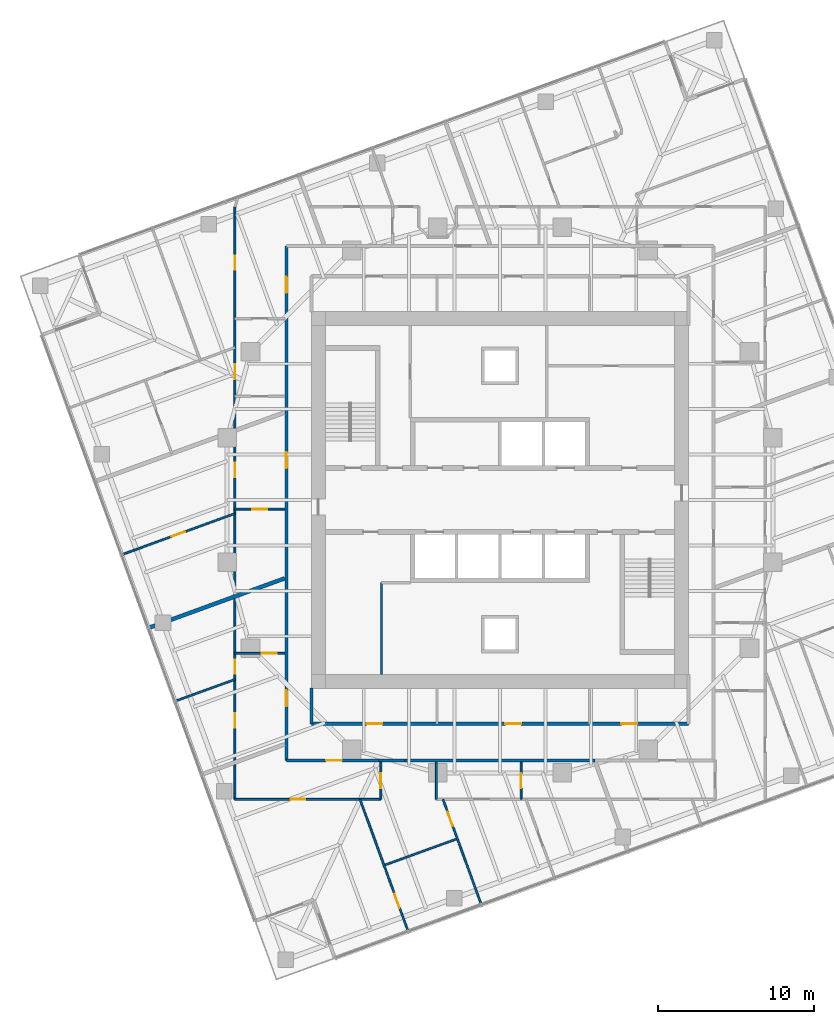
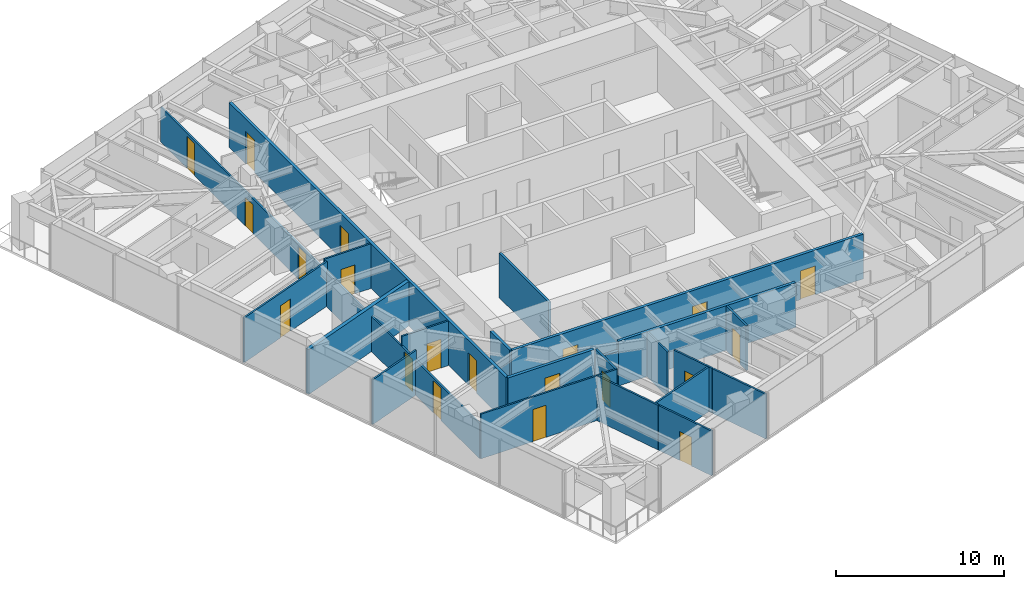
# One storey, part 7 of 13: 22 walls, 20 doors, 20 openings.
"""IFC4 building model written with IfcOpenShell, lengths in metres."""

from ifc_helpers import new_model, si_unit, direction, frame, frame_2d, origin, place, context, subcontext, project, spatial, rectangle, extrude, material, layer, layer_set, type_object, element, fill, save


model = new_model("IFC4")

# Units and contexts
model_context = context("Model", 3, precision=1e-05, world=origin(), true_north=direction((0.0, 1.0)))
body_context = subcontext(model_context, "Body", "Model", "MODEL_VIEW")
ifc_project = project(units=[si_unit("LENGTHUNIT", "METRE"), si_unit("AREAUNIT", "SQUARE_METRE"), si_unit("VOLUMEUNIT", "CUBIC_METRE"), si_unit("PLANEANGLEUNIT", "RADIAN"), si_unit("MASSUNIT", "GRAM", prefix="KILO")], contexts=[model_context])

# Site, building, storey
site_placement = place(None, origin())
site = spatial("IfcSite", under=ifc_project, at=site_placement, CompositionType="ELEMENT")
building_placement = place(site_placement, origin())
building = spatial("IfcBuilding", under=site, at=building_placement, Name="Torsade Residences", CompositionType="ELEMENT")
storey_placement = place(building_placement, frame((0.0, 0.0, 143.800048828125)))
storey = spatial("IfcBuildingStorey", under=building, at=storey_placement, Name="L39", CompositionType="ELEMENT", Elevation=143.800048828125)

# Wall, opening, door
ifc_material_1 = material(Name="Plasterboard on steel stud", Category="steel")
ifc_layer_1 = layer(ifc_material_1, 0.199951171875)
ifc_layer_set_1 = layer_set([ifc_layer_1], Name="Plasterboard on steel stud")
wall_type_1 = type_object("IfcWallType", Name="CORRIDOR WALL 200", PredefinedType="PARTITIONING", material=ifc_layer_set_1)
wall_1_placement = place(storey_placement, frame((26.300048828125, 13.300048828125, 0.0), z_axis=(0.0, 0.0, 1.0), x_axis=(1.0, 0.0, 0.0)))
wall_1 = element("IfcWall", 1, at=wall_1_placement, inside=storey, type_object=wall_type_1, Name="Corridor wall L39", PredefinedType="PARTITIONING", context=body_context, shape_type="SweptSolid", body=[
    extrude(rectangle(XDim=5.9248046875, YDim=0.199951171875, at=frame_2d((2.96240234375, 0.0))), origin(), (0.0, 0.0, 1.0), 3.25),
])
opening_1_placement = place(wall_1_placement, frame((2.54541015625, 0.0, 0.0)))
opening_1 = element("IfcOpeningElement", 2, at=opening_1_placement, cuts=wall_1, Name="Opening D01", PredefinedType="OPENING", context=body_context, shape_type="SweptSolid", body=[
    extrude(rectangle(XDim=1.02001953125, YDim=2.340087890625, at=frame_2d((0.510009765625, 1.169921875))), frame((0.0, 0.10986328125, 0.0), z_axis=(0.0, -1.0, 0.0), x_axis=(1.0, 0.0, 0.0)), (0.0, 0.0, 1.0), 0.219970703125),
])
ifc_material_2 = material(Name="Solid-core timber fire door", Category="wood")
door_type_1 = type_object("IfcDoorType", Name="APARTMENT ENTRY DOOR 1020x2340", OperationType="NOTDEFINED", PredefinedType="DOOR", material=ifc_material_2)
door_1_placement = place(opening_1_placement, origin())
door_1 = element("IfcDoor", 3, at=door_1_placement, inside=storey, type_object=door_type_1, Name="Door Residential corridor to Kitchen and dining", OperationType="SINGLE_SWING_RIGHT", OverallHeight=2.340087890625, OverallWidth=1.02001953125, PredefinedType="DOOR", context=body_context, shape_type="SweptSolid", body=[
    extrude(rectangle(XDim=1.02001953125, YDim=2.340087890625, at=frame_2d((0.510009765625, 1.169921875))), frame((0.0, 0.02490234375, 0.0), z_axis=(0.0, -1.0, 0.0), x_axis=(1.0, 0.0, 0.0)), (0.0, 0.0, 1.0), 0.050048828125),
])
fill(opening_1, door_1)

# Walls
wall_2_placement = place(storey_placement, frame((32.224853515625, 13.300048828125, 0.0), z_axis=(0.0, 0.0, 1.0), x_axis=(1.0, 0.0, 0.0)))
element("IfcWall", 4, at=wall_2_placement, inside=storey, type_object=wall_type_1, Name="Corridor wall L39", PredefinedType="PARTITIONING", context=body_context, shape_type="SweptSolid", body=[
    extrude(rectangle(XDim=1.68359375, YDim=0.199951171875, at=frame_2d((0.841796875, 0.0))), origin(), (0.0, 0.0, 1.0), 2.550048828125),
])
wall_3_placement = place(storey_placement, frame((33.908447265625, 13.300048828125, 0.0), z_axis=(0.0, 0.0, 1.0), x_axis=(1.0, 0.0, 0.0)))
element("IfcWall", 5, at=wall_3_placement, inside=storey, type_object=wall_type_1, Name="Corridor wall L39", PredefinedType="PARTITIONING", context=body_context, shape_type="SweptSolid", body=[
    extrude(rectangle(XDim=12.18310546875, YDim=0.199951171875, at=frame_2d((6.091552734375, 0.0))), origin(), (0.0, 0.0, 1.0), 3.25),
])

# Wall, openings, doors
wall_4_placement = place(storey_placement, frame((26.300048828125, 46.300048828125, 0.0), z_axis=(0.0, 0.0, 1.0), x_axis=(0.0, -1.0, 0.0)))
wall_4 = element("IfcWall", 6, at=wall_4_placement, inside=storey, type_object=wall_type_1, Name="Corridor wall L39", PredefinedType="PARTITIONING", context=body_context, shape_type="SweptSolid", body=[
    extrude(rectangle(XDim=33.0, YDim=0.199951171875, at=frame_2d((16.5, 0.0))), origin(), (0.0, 0.0, 1.0), 3.25),
])
opening_2_placement = place(wall_4_placement, frame((13.2294921875, 0.0, 0.0)))
opening_2 = element("IfcOpeningElement", 7, at=opening_2_placement, cuts=wall_4, Name="Opening D01", PredefinedType="OPENING", context=body_context, shape_type="SweptSolid", body=[
    extrude(rectangle(XDim=1.02001953125, YDim=2.340087890625, at=frame_2d((0.510009765625, 1.169921875))), frame((0.0, 0.10986328125, 0.0), z_axis=(0.0, -1.0, 0.0), x_axis=(1.0, 0.0, 0.0)), (0.0, 0.0, 1.0), 0.219970703125),
])
opening_3_placement = place(wall_4_placement, frame((28.51025390625, 0.0, 0.0)))
opening_3 = element("IfcOpeningElement", 8, at=opening_3_placement, cuts=wall_4, Name="Opening D01", PredefinedType="OPENING", context=body_context, shape_type="SweptSolid", body=[
    extrude(rectangle(XDim=1.02001953125, YDim=2.340087890625, at=frame_2d((0.510009765625, 1.169921875))), frame((0.0, 0.10986328125, 0.0), z_axis=(0.0, -1.0, 0.0), x_axis=(1.0, 0.0, 0.0)), (0.0, 0.0, 1.0), 0.219970703125),
])
opening_4_placement = place(wall_4_placement, frame((1.998291015625, 0.0, 0.0)))
opening_4 = element("IfcOpeningElement", 9, at=opening_4_placement, cuts=wall_4, Name="Opening D01", PredefinedType="OPENING", context=body_context, shape_type="SweptSolid", body=[
    extrude(rectangle(XDim=1.02001953125, YDim=2.340087890625, at=frame_2d((0.510009765625, 1.169921875))), frame((0.0, 0.10986328125, 0.0), z_axis=(0.0, -1.0, 0.0), x_axis=(1.0, 0.0, 0.0)), (0.0, 0.0, 1.0), 0.219970703125),
])
door_2_placement = place(opening_2_placement, origin())
door_2 = element("IfcDoor", 10, at=door_2_placement, inside=storey, type_object=door_type_1, Name="Door Residential corridor to Kitchen and dining", OperationType="SINGLE_SWING_LEFT", OverallHeight=2.340087890625, OverallWidth=1.02001953125, PredefinedType="DOOR", context=body_context, shape_type="SweptSolid", body=[
    extrude(rectangle(XDim=1.02001953125, YDim=2.340087890625, at=frame_2d((0.510009765625, 1.169921875))), frame((0.0, 0.02490234375, 0.0), z_axis=(0.0, -1.0, 0.0), x_axis=(1.0, 0.0, 0.0)), (0.0, 0.0, 1.0), 0.050048828125),
])
fill(opening_2, door_2)
door_3_placement = place(opening_3_placement, origin())
door_3 = element("IfcDoor", 11, at=door_3_placement, inside=storey, type_object=door_type_1, Name="Door Residential corridor to Kitchen and dining", OperationType="SINGLE_SWING_RIGHT", OverallHeight=2.340087890625, OverallWidth=1.02001953125, PredefinedType="DOOR", context=body_context, shape_type="SweptSolid", body=[
    extrude(rectangle(XDim=1.02001953125, YDim=2.340087890625, at=frame_2d((0.510009765625, 1.169921875))), frame((0.0, 0.02490234375, 0.0), z_axis=(0.0, -1.0, 0.0), x_axis=(1.0, 0.0, 0.0)), (0.0, 0.0, 1.0), 0.050048828125),
])
fill(opening_3, door_3)
door_4_placement = place(opening_4_placement, origin())
door_4 = element("IfcDoor", 12, at=door_4_placement, inside=storey, type_object=door_type_1, Name="Door Residential corridor to Kitchen and dining", OperationType="SINGLE_SWING_LEFT", OverallHeight=2.340087890625, OverallWidth=1.02001953125, PredefinedType="DOOR", context=body_context, shape_type="SweptSolid", body=[
    extrude(rectangle(XDim=1.02001953125, YDim=2.340087890625, at=frame_2d((0.510009765625, 1.169921875))), frame((0.0, 0.02490234375, 0.0), z_axis=(0.0, -1.0, 0.0), x_axis=(1.0, 0.0, 0.0)), (0.0, 0.0, 1.0), 0.050048828125),
])
fill(opening_4, door_4)

# Wall
wall_5_placement = place(storey_placement, frame((27.89990234375, 17.949951171875, 0.0), z_axis=(0.0, 0.0, 1.0), x_axis=(0.0, -1.0, 0.0)))
element("IfcWall", 13, at=wall_5_placement, inside=storey, type_object=wall_type_1, Name="Corridor wall L39", PredefinedType="PARTITIONING", context=body_context, shape_type="SweptSolid", body=[
    extrude(rectangle(XDim=2.300048828125, YDim=0.199951171875, at=frame_2d((1.14990234375, 0.0))), origin(), (0.0, 0.0, 1.0), 3.25),
])

# Wall, openings, doors
wall_6_placement = place(storey_placement, frame((27.89990234375, 15.64990234375, 0.0), z_axis=(0.0, 0.0, 1.0), x_axis=(1.0, 0.0, 0.0)))
wall_6 = element("IfcWall", 14, at=wall_6_placement, inside=storey, type_object=wall_type_1, Name="Corridor wall L39", PredefinedType="PARTITIONING", context=body_context, shape_type="SweptSolid", body=[
    extrude(rectangle(XDim=24.2001953125, YDim=0.199951171875, at=frame_2d((12.10009765625, 0.0))), origin(), (0.0, 0.0, 1.0), 3.25),
])
opening_5_placement = place(wall_6_placement, frame((12.43701171875, 0.0, 0.0)))
opening_5 = element("IfcOpeningElement", 15, at=opening_5_placement, cuts=wall_6, Name="Opening D03", PredefinedType="OPENING", context=body_context, shape_type="SweptSolid", body=[
    extrude(rectangle(XDim=1.02001953125, YDim=2.10009765625, at=frame_2d((0.510009765625, 1.050048828125))), frame((0.0, 0.10986328125, 0.0), z_axis=(0.0, -1.0, 0.0), x_axis=(1.0, 0.0, 0.0)), (0.0, 0.0, 1.0), 0.219970703125),
])
opening_6_placement = place(wall_6_placement, frame((3.544189453125, 0.0, 0.0)))
opening_6 = element("IfcOpeningElement", 16, at=opening_6_placement, cuts=wall_6, Name="Opening D03", PredefinedType="OPENING", context=body_context, shape_type="SweptSolid", body=[
    extrude(rectangle(XDim=1.02001953125, YDim=2.10009765625, at=frame_2d((0.510009765625, 1.050048828125))), frame((0.0, 0.10986328125, 0.0), z_axis=(0.0, -1.0, 0.0), x_axis=(1.0, 0.0, 0.0)), (0.0, 0.0, 1.0), 0.219970703125),
])
opening_7_placement = place(wall_6_placement, frame((19.8828125, 0.0, 0.0)))
opening_7 = element("IfcOpeningElement", 17, at=opening_7_placement, cuts=wall_6, Name="Opening D03", PredefinedType="OPENING", context=body_context, shape_type="SweptSolid", body=[
    extrude(rectangle(XDim=1.02001953125, YDim=2.10009765625, at=frame_2d((0.510009765625, 1.050048828125))), frame((0.0, 0.10986328125, 0.0), z_axis=(0.0, -1.0, 0.0), x_axis=(1.0, 0.0, 0.0)), (0.0, 0.0, 1.0), 0.219970703125),
])
ifc_material_3 = material(Name="Steel-framed fire door", Category="steel")
door_type_2 = type_object("IfcDoorType", Name="FIRE DOOR 1020", OperationType="NOTDEFINED", PredefinedType="DOOR", material=ifc_material_3)
door_5_placement = place(opening_5_placement, origin())
door_5 = element("IfcDoor", 18, at=door_5_placement, inside=storey, type_object=door_type_2, Name="Door Residential corridor to Bulk store", OperationType="SINGLE_SWING_RIGHT", OverallHeight=2.10009765625, OverallWidth=1.02001953125, PredefinedType="DOOR", context=body_context, shape_type="SweptSolid", body=[
    extrude(rectangle(XDim=1.02001953125, YDim=2.10009765625, at=frame_2d((0.510009765625, 1.050048828125))), frame((0.0, 0.02490234375, 0.0), z_axis=(0.0, -1.0, 0.0), x_axis=(1.0, 0.0, 0.0)), (0.0, 0.0, 1.0), 0.050048828125),
])
fill(opening_5, door_5)
door_6_placement = place(opening_6_placement, origin())
door_6 = element("IfcDoor", 19, at=door_6_placement, inside=storey, type_object=door_type_2, Name="Door Residential corridor to Residents storage", OperationType="SINGLE_SWING_RIGHT", OverallHeight=2.10009765625, OverallWidth=1.02001953125, PredefinedType="DOOR", context=body_context, shape_type="SweptSolid", body=[
    extrude(rectangle(XDim=1.02001953125, YDim=2.10009765625, at=frame_2d((0.510009765625, 1.050048828125))), frame((0.0, 0.02490234375, 0.0), z_axis=(0.0, -1.0, 0.0), x_axis=(1.0, 0.0, 0.0)), (0.0, 0.0, 1.0), 0.050048828125),
])
fill(opening_6, door_6)
door_7_placement = place(opening_7_placement, origin())
door_7 = element("IfcDoor", 20, at=door_7_placement, inside=storey, type_object=door_type_2, Name="Door Residential corridor to Parcel room", OperationType="SINGLE_SWING_LEFT", OverallHeight=2.10009765625, OverallWidth=1.02001953125, PredefinedType="DOOR", context=body_context, shape_type="SweptSolid", body=[
    extrude(rectangle(XDim=1.02001953125, YDim=2.10009765625, at=frame_2d((0.510009765625, 1.050048828125))), frame((0.0, 0.02490234375, 0.0), z_axis=(0.0, -1.0, 0.0), x_axis=(1.0, 0.0, 0.0)), (0.0, 0.0, 1.0), 0.050048828125),
])
fill(opening_7, door_7)

# Wall, opening, door
ifc_material_4 = material(Name="Plasterboard on steel stud", Category="steel")
ifc_layer_2 = layer(ifc_material_4, 0.1201171875)
ifc_layer_set_2 = layer_set([ifc_layer_2], Name="Plasterboard on steel stud")
wall_type_2 = type_object("IfcWallType", Name="PARTITION 120", PredefinedType="PARTITIONING", material=ifc_layer_set_2)
wall_7_placement = place(storey_placement, frame((26.199951171875, 29.4130859375, 0.0), z_axis=(0.0, 0.0, 1.0), x_axis=(-1.0, 0.0, 0.0)))
wall_7 = element("IfcWall", 21, at=wall_7_placement, inside=storey, type_object=wall_type_2, Name="Partition L39", PredefinedType="PARTITIONING", context=body_context, shape_type="SweptSolid", body=[
    extrude(rectangle(XDim=3.199951171875, YDim=0.1201171875, at=frame_2d((1.60009765625, 0.0))), origin(), (0.0, 0.0, 1.0), 3.25),
])
opening_8_placement = place(wall_7_placement, frame((1.1201171875, 0.0, 0.0)))
opening_8 = element("IfcOpeningElement", 22, at=opening_8_placement, cuts=wall_7, Name="Opening D05", PredefinedType="OPENING", context=body_context, shape_type="SweptSolid", body=[
    extrude(rectangle(XDim=0.9599609375, YDim=2.10009765625, at=frame_2d((0.47998046875, 1.050048828125))), frame((0.0, 0.070068359375, 0.0), z_axis=(0.0, -1.0, 0.0), x_axis=(1.0, 0.0, 0.0)), (0.0, 0.0, 1.0), 0.14013671875),
])
ifc_material_5 = material(Name="Hollow-core timber door in a steel cavity frame", Category="steel")
door_type_3 = type_object("IfcDoorType", Name="BATHROOM CAVITY SLIDING DOOR 960", OperationType="SLIDING_TO_LEFT", PredefinedType="DOOR", material=ifc_material_5)
door_8_placement = place(opening_8_placement, origin())
door_8 = element("IfcDoor", 23, at=door_8_placement, inside=storey, type_object=door_type_3, Name="Door Kitchen and dining to Bathroom", OperationType="SLIDING_TO_LEFT", OverallHeight=2.10009765625, OverallWidth=0.9599609375, PredefinedType="DOOR", context=body_context, shape_type="SweptSolid", body=[
    extrude(rectangle(XDim=0.9599609375, YDim=2.10009765625, at=frame_2d((0.47998046875, 1.050048828125))), frame((0.0, 0.02490234375, 0.0), z_axis=(0.0, -1.0, 0.0), x_axis=(1.0, 0.0, 0.0)), (0.0, 0.0, 1.0), 0.050048828125),
])
fill(opening_8, door_8)

# Wall, openings, doors
wall_8_placement = place(storey_placement, frame((23.0, 10.800048828125, 0.0), z_axis=(0.0, 0.0, 1.0), x_axis=(0.0, 1.0, 0.0)))
wall_8 = element("IfcWall", 24, at=wall_8_placement, inside=storey, type_object=wall_type_2, Name="Partition L39", PredefinedType="PARTITIONING", context=body_context, shape_type="SweptSolid", body=[
    extrude(rectangle(XDim=38.0, YDim=0.1201171875, at=frame_2d((19.0, 0.0))), origin(), (0.0, 0.0, 1.0), 2.550048828125),
])
opening_9_placement = place(wall_8_placement, frame((20.673583984375, 0.0, 0.0)))
opening_9 = element("IfcOpeningElement", 25, at=opening_9_placement, cuts=wall_8, Name="Opening D02", PredefinedType="OPENING", context=body_context, shape_type="SweptSolid", body=[
    extrude(rectangle(XDim=0.919921875, YDim=2.340087890625, at=frame_2d((0.4599609375, 1.169921875))), frame((0.0, 0.070068359375, 0.0), z_axis=(0.0, -1.0, 0.0), x_axis=(1.0, 0.0, 0.0)), (0.0, 0.0, 1.0), 0.14013671875),
])
opening_10_placement = place(wall_8_placement, frame((4.59765625, 0.0, 0.0)))
opening_10 = element("IfcOpeningElement", 26, at=opening_10_placement, cuts=wall_8, Name="Opening D02", PredefinedType="OPENING", context=body_context, shape_type="SweptSolid", body=[
    extrude(rectangle(XDim=0.919921875, YDim=2.340087890625, at=frame_2d((0.4599609375, 1.169921875))), frame((0.0, 0.070068359375, 0.0), z_axis=(0.0, -1.0, 0.0), x_axis=(1.0, 0.0, 0.0)), (0.0, 0.0, 1.0), 0.14013671875),
])
opening_11_placement = place(wall_8_placement, frame((8.042724609375, 0.0, 0.0)))
opening_11 = element("IfcOpeningElement", 27, at=opening_11_placement, cuts=wall_8, Name="Opening D02", PredefinedType="OPENING", context=body_context, shape_type="SweptSolid", body=[
    extrude(rectangle(XDim=0.919921875, YDim=2.340087890625, at=frame_2d((0.4599609375, 1.169921875))), frame((0.0, 0.070068359375, 0.0), z_axis=(0.0, -1.0, 0.0), x_axis=(1.0, 0.0, 0.0)), (0.0, 0.0, 1.0), 0.14013671875),
])
opening_12_placement = place(wall_8_placement, frame((33.956787109375, 0.0, 0.0)))
opening_12 = element("IfcOpeningElement", 28, at=opening_12_placement, cuts=wall_8, Name="Opening D02", PredefinedType="OPENING", context=body_context, shape_type="SweptSolid", body=[
    extrude(rectangle(XDim=0.919921875, YDim=2.340087890625, at=frame_2d((0.4599609375, 1.169921875))), frame((0.0, 0.070068359375, 0.0), z_axis=(0.0, -1.0, 0.0), x_axis=(1.0, 0.0, 0.0)), (0.0, 0.0, 1.0), 0.14013671875),
])
opening_13_placement = place(wall_8_placement, frame((26.95654296875, 0.0, 0.0)))
opening_13 = element("IfcOpeningElement", 29, at=opening_13_placement, cuts=wall_8, Name="Opening D05", PredefinedType="OPENING", context=body_context, shape_type="SweptSolid", body=[
    extrude(rectangle(XDim=0.9599609375, YDim=2.10009765625, at=frame_2d((0.47998046875, 1.050048828125))), frame((0.0, 0.070068359375, 0.0), z_axis=(0.0, -1.0, 0.0), x_axis=(1.0, 0.0, 0.0)), (0.0, 0.0, 1.0), 0.14013671875),
])
door_9_placement = place(opening_13_placement, origin())
door_9 = element("IfcDoor", 30, at=door_9_placement, inside=storey, type_object=door_type_3, Name="Door Bathroom to Walk-in robe", OperationType="SLIDING_TO_LEFT", OverallHeight=2.10009765625, OverallWidth=0.9599609375, PredefinedType="DOOR", context=body_context, shape_type="SweptSolid", body=[
    extrude(rectangle(XDim=0.9599609375, YDim=2.10009765625, at=frame_2d((0.47998046875, 1.050048828125))), frame((0.0, 0.02490234375, 0.0), z_axis=(0.0, -1.0, 0.0), x_axis=(1.0, 0.0, 0.0)), (0.0, 0.0, 1.0), 0.050048828125),
])
fill(opening_13, door_9)
ifc_material_6 = material(Name="Hollow-core timber door", Category="wood")
door_type_4 = type_object("IfcDoorType", Name="INTERNAL DOOR 920x2340", OperationType="NOTDEFINED", PredefinedType="DOOR", material=ifc_material_6)
door_10_placement = place(opening_9_placement, origin())
door_10 = element("IfcDoor", 31, at=door_10_placement, inside=storey, type_object=door_type_4, Name="Door Kitchen and dining to Living room", OperationType="SINGLE_SWING_RIGHT", OverallHeight=2.340087890625, OverallWidth=0.919921875, PredefinedType="DOOR", context=body_context, shape_type="SweptSolid", body=[
    extrude(rectangle(XDim=0.919921875, YDim=2.340087890625, at=frame_2d((0.4599609375, 1.169921875))), frame((0.0, 0.02490234375, 0.0), z_axis=(0.0, -1.0, 0.0), x_axis=(1.0, 0.0, 0.0)), (0.0, 0.0, 1.0), 0.050048828125),
])
fill(opening_9, door_10)
door_11_placement = place(opening_10_placement, origin())
door_11 = element("IfcDoor", 32, at=door_11_placement, inside=storey, type_object=door_type_4, Name="Door Kitchen and dining to Bedroom 1", OperationType="SINGLE_SWING_RIGHT", OverallHeight=2.340087890625, OverallWidth=0.919921875, PredefinedType="DOOR", context=body_context, shape_type="SweptSolid", body=[
    extrude(rectangle(XDim=0.919921875, YDim=2.340087890625, at=frame_2d((0.4599609375, 1.169921875))), frame((0.0, 0.02490234375, 0.0), z_axis=(0.0, -1.0, 0.0), x_axis=(1.0, 0.0, 0.0)), (0.0, 0.0, 1.0), 0.050048828125),
])
fill(opening_10, door_11)
door_12_placement = place(opening_11_placement, origin())
door_12 = element("IfcDoor", 33, at=door_12_placement, inside=storey, type_object=door_type_4, Name="Door Kitchen and dining to Living room", OperationType="SINGLE_SWING_LEFT", OverallHeight=2.340087890625, OverallWidth=0.919921875, PredefinedType="DOOR", context=body_context, shape_type="SweptSolid", body=[
    extrude(rectangle(XDim=0.919921875, YDim=2.340087890625, at=frame_2d((0.4599609375, 1.169921875))), frame((0.0, 0.02490234375, 0.0), z_axis=(0.0, -1.0, 0.0), x_axis=(1.0, 0.0, 0.0)), (0.0, 0.0, 1.0), 0.050048828125),
])
fill(opening_11, door_12)
door_13_placement = place(opening_12_placement, origin())
door_13 = element("IfcDoor", 34, at=door_13_placement, inside=storey, type_object=door_type_4, Name="Door Kitchen and dining to Bedroom 1", OperationType="SINGLE_SWING_RIGHT", OverallHeight=2.340087890625, OverallWidth=0.919921875, PredefinedType="DOOR", context=body_context, shape_type="SweptSolid", body=[
    extrude(rectangle(XDim=0.919921875, YDim=2.340087890625, at=frame_2d((0.4599609375, 1.169921875))), frame((0.0, 0.02490234375, 0.0), z_axis=(0.0, -1.0, 0.0), x_axis=(1.0, 0.0, 0.0)), (0.0, 0.0, 1.0), 0.050048828125),
])
fill(opening_12, door_13)

# Wall, opening, door
wall_9_placement = place(storey_placement, frame((23.0, 29.133544921875, 0.0), z_axis=(0.0, 0.0, 1.0), x_axis=(-0.939685835373, -0.342038785519, 0.0)))
wall_9 = element("IfcWall", 35, at=wall_9_placement, inside=storey, type_object=wall_type_2, Name="Partition L39", PredefinedType="PARTITIONING", context=body_context, shape_type="SweptSolid", body=[
    extrude(rectangle(XDim=7.68896484375, YDim=0.1201171875, at=frame_2d((3.844482421875, 0.0))), origin(), (0.0, 0.0, 1.0), 3.25),
])
opening_14_placement = place(wall_9_placement, frame((3.404296875, 0.0, 0.0)))
opening_14 = element("IfcOpeningElement", 36, at=opening_14_placement, cuts=wall_9, Name="Opening D02", PredefinedType="OPENING", context=body_context, shape_type="SweptSolid", body=[
    extrude(rectangle(XDim=0.919921875, YDim=2.340087890625, at=frame_2d((0.4599609375, 1.169921875))), frame((0.0, 0.070068359375, 0.0), z_axis=(0.0, -1.0, 0.0), x_axis=(1.0, 0.0, 0.0)), (0.0, 0.0, 1.0), 0.14013671875),
])
door_14_placement = place(opening_14_placement, origin())
door_14 = element("IfcDoor", 37, at=door_14_placement, inside=storey, type_object=door_type_4, Name="Door Living room to Bedroom 1", OperationType="SINGLE_SWING_RIGHT", OverallHeight=2.340087890625, OverallWidth=0.919921875, PredefinedType="DOOR", context=body_context, shape_type="SweptSolid", body=[
    extrude(rectangle(XDim=0.919921875, YDim=2.340087890625, at=frame_2d((0.4599609375, 1.169921875))), frame((0.0, 0.02490234375, 0.0), z_axis=(0.0, -1.0, 0.0), x_axis=(1.0, 0.0, 0.0)), (0.0, 0.0, 1.0), 0.050048828125),
])
fill(opening_14, door_14)

wall_10_placement = place(storey_placement, frame((23.0, 20.167236328125, 0.0), z_axis=(0.0, 0.0, 1.0), x_axis=(1.0, 0.0, 0.0)))
wall_10 = element("IfcWall", 38, at=wall_10_placement, inside=storey, type_object=wall_type_2, Name="Partition L39", PredefinedType="PARTITIONING", context=body_context, shape_type="SweptSolid", body=[
    extrude(rectangle(XDim=3.199951171875, YDim=0.1201171875, at=frame_2d((1.60009765625, 0.0))), origin(), (0.0, 0.0, 1.0), 3.25),
])
opening_15_placement = place(wall_10_placement, frame((1.719970703125, 0.0, 0.0)))
opening_15 = element("IfcOpeningElement", 39, at=opening_15_placement, cuts=wall_10, Name="Opening D05", PredefinedType="OPENING", context=body_context, shape_type="SweptSolid", body=[
    extrude(rectangle(XDim=0.9599609375, YDim=2.10009765625, at=frame_2d((0.47998046875, 1.050048828125))), frame((0.0, 0.070068359375, 0.0), z_axis=(0.0, -1.0, 0.0), x_axis=(1.0, 0.0, 0.0)), (0.0, 0.0, 1.0), 0.14013671875),
])
door_15_placement = place(opening_15_placement, origin())
door_15 = element("IfcDoor", 40, at=door_15_placement, inside=storey, type_object=door_type_3, Name="Door Kitchen and dining to Bathroom", OperationType="SLIDING_TO_LEFT", OverallHeight=2.10009765625, OverallWidth=0.9599609375, PredefinedType="DOOR", context=body_context, shape_type="SweptSolid", body=[
    extrude(rectangle(XDim=0.9599609375, YDim=2.10009765625, at=frame_2d((0.47998046875, 1.050048828125))), frame((0.0, 0.02490234375, 0.0), z_axis=(0.0, -1.0, 0.0), x_axis=(1.0, 0.0, 0.0)), (0.0, 0.0, 1.0), 0.050048828125),
])
fill(opening_15, door_15)

# Wall
wall_11_placement = place(storey_placement, frame((23.0, 18.49169921875, 0.0), z_axis=(0.0, 0.0, 1.0), x_axis=(-0.939682468191, -0.342048036063, 0.0)))
element("IfcWall", 41, at=wall_11_placement, inside=storey, type_object=wall_type_2, Name="Partition L39", PredefinedType="PARTITIONING", context=body_context, shape_type="SweptSolid", body=[
    extrude(rectangle(XDim=4.049072265625, YDim=0.1201171875, at=frame_2d((2.0244140625, 0.0))), origin(), (0.0, 0.0, 1.0), 3.25),
])

# Wall, opening, door
wall_12_placement = place(storey_placement, frame((32.361083984375, 13.199951171875, 0.0), z_axis=(0.0, 0.0, 1.0), x_axis=(0.0, -1.0, 0.0)))
wall_12 = element("IfcWall", 42, at=wall_12_placement, inside=storey, type_object=wall_type_2, Name="Partition L39", PredefinedType="PARTITIONING", context=body_context, shape_type="SweptSolid", body=[
    extrude(rectangle(XDim=2.39990234375, YDim=0.1201171875, at=frame_2d((1.199951171875, 0.0))), origin(), (0.0, 0.0, 1.0), 3.25),
])
opening_16_placement = place(wall_12_placement, frame((0.719970703125, 0.0, 0.0)))
opening_16 = element("IfcOpeningElement", 43, at=opening_16_placement, cuts=wall_12, Name="Opening D05", PredefinedType="OPENING", context=body_context, shape_type="SweptSolid", body=[
    extrude(rectangle(XDim=0.9599609375, YDim=2.10009765625, at=frame_2d((0.47998046875, 1.050048828125))), frame((0.0, 0.070068359375, 0.0), z_axis=(0.0, -1.0, 0.0), x_axis=(1.0, 0.0, 0.0)), (0.0, 0.0, 1.0), 0.14013671875),
])
door_16_placement = place(opening_16_placement, origin())
door_16 = element("IfcDoor", 44, at=door_16_placement, inside=storey, type_object=door_type_3, Name="Door Kitchen and dining to Laundry", OperationType="SLIDING_TO_LEFT", OverallHeight=2.10009765625, OverallWidth=0.9599609375, PredefinedType="DOOR", context=body_context, shape_type="SweptSolid", body=[
    extrude(rectangle(XDim=0.9599609375, YDim=2.10009765625, at=frame_2d((0.47998046875, 1.050048828125))), frame((0.0, 0.02490234375, 0.0), z_axis=(0.0, -1.0, 0.0), x_axis=(1.0, 0.0, 0.0)), (0.0, 0.0, 1.0), 0.050048828125),
])
fill(opening_16, door_16)

wall_13_placement = place(storey_placement, frame((32.361083984375, 10.800048828125, 0.0), z_axis=(0.0, 0.0, 1.0), x_axis=(-1.0, 0.0, 0.0)))
wall_13 = element("IfcWall", 45, at=wall_13_placement, inside=storey, type_object=wall_type_2, Name="Partition L39", PredefinedType="PARTITIONING", context=body_context, shape_type="SweptSolid", body=[
    extrude(rectangle(XDim=9.361083984375, YDim=0.1201171875, at=frame_2d((4.6806640625, 0.0))), origin(), (0.0, 0.0, 1.0), 3.25),
])
opening_17_placement = place(wall_13_placement, frame((4.861572265625, 0.0, 0.0)))
opening_17 = element("IfcOpeningElement", 46, at=opening_17_placement, cuts=wall_13, Name="Opening D02", PredefinedType="OPENING", context=body_context, shape_type="SweptSolid", body=[
    extrude(rectangle(XDim=0.919921875, YDim=2.340087890625, at=frame_2d((0.4599609375, 1.169921875))), frame((0.0, 0.070068359375, 0.0), z_axis=(0.0, -1.0, 0.0), x_axis=(1.0, 0.0, 0.0)), (0.0, 0.0, 1.0), 0.14013671875),
])
door_17_placement = place(opening_17_placement, origin())
door_17 = element("IfcDoor", 47, at=door_17_placement, inside=storey, type_object=door_type_4, Name="Door Kitchen and dining to Living room", OperationType="SINGLE_SWING_RIGHT", OverallHeight=2.340087890625, OverallWidth=0.919921875, PredefinedType="DOOR", context=body_context, shape_type="SweptSolid", body=[
    extrude(rectangle(XDim=0.919921875, YDim=2.340087890625, at=frame_2d((0.4599609375, 1.169921875))), frame((0.0, 0.02490234375, 0.0), z_axis=(0.0, -1.0, 0.0), x_axis=(1.0, 0.0, 0.0)), (0.0, 0.0, 1.0), 0.050048828125),
])
fill(opening_17, door_17)

wall_14_placement = place(storey_placement, frame((41.3525390625, 13.199951171875, 0.0), z_axis=(0.0, 0.0, 1.0), x_axis=(0.0, -1.0, 0.0)))
wall_14 = element("IfcWall", 48, at=wall_14_placement, inside=storey, type_object=wall_type_2, Name="Partition L39", PredefinedType="PARTITIONING", context=body_context, shape_type="SweptSolid", body=[
    extrude(rectangle(XDim=2.39990234375, YDim=0.1201171875, at=frame_2d((1.199951171875, 0.0))), origin(), (0.0, 0.0, 1.0), 3.25),
])
opening_18_placement = place(wall_14_placement, frame((0.719970703125, 0.0, 0.0)))
opening_18 = element("IfcOpeningElement", 49, at=opening_18_placement, cuts=wall_14, Name="Opening D05", PredefinedType="OPENING", context=body_context, shape_type="SweptSolid", body=[
    extrude(rectangle(XDim=0.9599609375, YDim=2.10009765625, at=frame_2d((0.47998046875, 1.050048828125))), frame((0.0, 0.070068359375, 0.0), z_axis=(0.0, -1.0, 0.0), x_axis=(1.0, 0.0, 0.0)), (0.0, 0.0, 1.0), 0.14013671875),
])
door_18_placement = place(opening_18_placement, origin())
door_18 = element("IfcDoor", 50, at=door_18_placement, inside=storey, type_object=door_type_3, Name="Door Ensuite 2 to Ensuite", OperationType="SLIDING_TO_LEFT", OverallHeight=2.10009765625, OverallWidth=0.9599609375, PredefinedType="DOOR", context=body_context, shape_type="SweptSolid", body=[
    extrude(rectangle(XDim=0.9599609375, YDim=2.10009765625, at=frame_2d((0.47998046875, 1.050048828125))), frame((0.0, 0.02490234375, 0.0), z_axis=(0.0, -1.0, 0.0), x_axis=(1.0, 0.0, 0.0)), (0.0, 0.0, 1.0), 0.050048828125),
])
fill(opening_18, door_18)

# Walls
wall_15_placement = place(storey_placement, frame((35.916015625, 10.800048828125, 0.0), z_axis=(0.0, 0.0, 1.0), x_axis=(0.0, 1.0, 0.0)))
element("IfcWall", 51, at=wall_15_placement, inside=storey, type_object=wall_type_2, Name="Partition L39", PredefinedType="PARTITIONING", context=body_context, shape_type="SweptSolid", body=[
    extrude(rectangle(XDim=2.39990234375, YDim=0.1201171875, at=frame_2d((1.199951171875, 0.0))), origin(), (0.0, 0.0, 1.0), 3.25),
])
wall_16_placement = place(storey_placement, frame((32.666259765625, 6.2919921875, 0.0), z_axis=(0.0, 0.0, 1.0), x_axis=(-0.341988220281, 0.93970423921, 0.0)))
element("IfcWall", 52, at=wall_16_placement, inside=storey, type_object=wall_type_2, Name="Partition L39", PredefinedType="PARTITIONING", context=body_context, shape_type="SweptSolid", body=[
    extrude(rectangle(XDim=4.79736328125, YDim=0.1201171875, at=frame_2d((2.398681640625, 0.0))), origin(), (0.0, 0.0, 1.0), 3.25),
])

# Wall, opening, door
wall_17_placement = place(storey_placement, frame((36.346435546875, 10.800048828125, 0.0), z_axis=(0.0, 0.0, 1.0), x_axis=(0.341986632257, -0.939704817141, 0.0)))
wall_17 = element("IfcWall", 53, at=wall_17_placement, inside=storey, type_object=wall_type_2, Name="Partition L39", PredefinedType="PARTITIONING", context=body_context, shape_type="SweptSolid", body=[
    extrude(rectangle(XDim=2.9775390625, YDim=0.1201171875, at=frame_2d((1.48876953125, 0.0))), origin(), (0.0, 0.0, 1.0), 3.25),
])
opening_19_placement = place(wall_17_placement, frame((0.86083984375, 0.0, 0.0)))
opening_19 = element("IfcOpeningElement", 54, at=opening_19_placement, cuts=wall_17, Name="Opening D05", PredefinedType="OPENING", context=body_context, shape_type="SweptSolid", body=[
    extrude(rectangle(XDim=0.9599609375, YDim=2.10009765625, at=frame_2d((0.47998046875, 1.050048828125))), frame((0.0, 0.070068359375, 0.0), z_axis=(0.0, -1.0, 0.0), x_axis=(1.0, 0.0, 0.0)), (0.0, 0.0, 1.0), 0.14013671875),
])
door_19_placement = place(opening_19_placement, origin())
door_19 = element("IfcDoor", 55, at=door_19_placement, inside=storey, type_object=door_type_3, Name="Door Laundry to Bedroom 1", OperationType="SLIDING_TO_LEFT", OverallHeight=2.10009765625, OverallWidth=0.9599609375, PredefinedType="DOOR", context=body_context, shape_type="SweptSolid", body=[
    extrude(rectangle(XDim=0.9599609375, YDim=2.10009765625, at=frame_2d((0.47998046875, 1.050048828125))), frame((0.0, 0.02490234375, 0.0), z_axis=(0.0, -1.0, 0.0), x_axis=(1.0, 0.0, 0.0)), (0.0, 0.0, 1.0), 0.050048828125),
])
fill(opening_19, door_19)

# Wall
wall_18_placement = place(storey_placement, frame((37.263671875, 8.280029296875, 0.0), z_axis=(0.0, 0.0, 1.0), x_axis=(-0.939686455819, -0.342037080957, 0.0)))
element("IfcWall", 56, at=wall_18_placement, inside=storey, type_object=wall_type_2, Name="Partition L39", PredefinedType="PARTITIONING", context=body_context, shape_type="SweptSolid", body=[
    extrude(rectangle(XDim=5.0, YDim=0.1201171875, at=frame_2d((2.5, 0.0))), origin(), (0.0, 0.0, 1.0), 3.25),
])

# Wall, opening, door
wall_19_placement = place(storey_placement, frame((32.684814453125, 6.240966796875, 0.0), z_axis=(0.0, 0.0, 1.0), x_axis=(0.342036918442, -0.939686514973, 0.0)))
wall_19 = element("IfcWall", 57, at=wall_19_placement, inside=storey, type_object=wall_type_2, Name="Partition L39", PredefinedType="PARTITIONING", context=body_context, shape_type="SweptSolid", body=[
    extrude(rectangle(XDim=4.1357421875, YDim=0.1201171875, at=frame_2d((2.06787109375, 0.0))), origin(), (0.0, 0.0, 1.0), 3.25),
])
opening_20_placement = place(wall_19_placement, frame((1.60791015625, 0.0, 0.0)))
opening_20 = element("IfcOpeningElement", 58, at=opening_20_placement, cuts=wall_19, Name="Opening D05", PredefinedType="OPENING", context=body_context, shape_type="SweptSolid", body=[
    extrude(rectangle(XDim=0.9599609375, YDim=2.10009765625, at=frame_2d((0.47998046875, 1.050048828125))), frame((0.0, 0.070068359375, 0.0), z_axis=(0.0, -1.0, 0.0), x_axis=(1.0, 0.0, 0.0)), (0.0, 0.0, 1.0), 0.14013671875),
])
door_20_placement = place(opening_20_placement, origin())
door_20 = element("IfcDoor", 59, at=door_20_placement, inside=storey, type_object=door_type_3, Name="Door Living room to Bathroom", OperationType="SLIDING_TO_LEFT", OverallHeight=2.10009765625, OverallWidth=0.9599609375, PredefinedType="DOOR", context=body_context, shape_type="SweptSolid", body=[
    extrude(rectangle(XDim=0.9599609375, YDim=2.10009765625, at=frame_2d((0.47998046875, 1.050048828125))), frame((0.0, 0.02490234375, 0.0), z_axis=(0.0, -1.0, 0.0), x_axis=(1.0, 0.0, 0.0)), (0.0, 0.0, 1.0), 0.050048828125),
])
fill(opening_20, door_20)

# Walls
wall_20_placement = place(storey_placement, frame((38.7978515625, 4.064697265625, 0.0), z_axis=(0.0, 0.0, 1.0), x_axis=(-0.342036918442, 0.939686514973, 0.0)))
element("IfcWall", 60, at=wall_20_placement, inside=storey, type_object=wall_type_2, Name="Partition L39", PredefinedType="PARTITIONING", context=body_context, shape_type="SweptSolid", body=[
    extrude(rectangle(XDim=4.1357421875, YDim=0.1201171875, at=frame_2d((2.06787109375, 0.0))), origin(), (0.0, 0.0, 1.0), 3.25),
])
ifc_material_7 = material(Name="Masonry-lined stud party wall", Category="masonry")
ifc_layer_3 = layer(ifc_material_7, 0.25)
ifc_layer_set_3 = layer_set([ifc_layer_3], Name="Masonry-lined stud party wall")
wall_type_3 = type_object("IfcWallType", Name="PARTY WALL 250", PredefinedType="PARTITIONING", material=ifc_layer_set_3)
wall_21_placement = place(storey_placement, frame((17.447265625, 21.79150390625, 0.0), z_axis=(0.0, 0.0, 1.0), x_axis=(0.939693071685, 0.342018904489, 0.0)))
element("IfcWall", 61, at=wall_21_placement, inside=storey, type_object=wall_type_3, Name="Party wall L39", PredefinedType="PARTITIONING", context=body_context, shape_type="SweptSolid", body=[
    extrude(rectangle(XDim=9.308837890625, YDim=0.25, at=frame_2d((4.654296875, 0.0))), origin(), (0.0, 0.0, 1.0), 3.25),
])
ifc_material_8 = material(Name="Reinforced blockwork", Category="masonry")
ifc_layer_4 = layer(ifc_material_8, 0.14990234375)
ifc_layer_set_4 = layer_set([ifc_layer_4], Name="Reinforced blockwork")
wall_type_4 = type_object("IfcWallType", Name="SERVICE ROOM WALL 150", PredefinedType="SOLIDWALL", material=ifc_layer_set_4)
wall_22_placement = place(storey_placement, frame((32.39990234375, 18.800048828125, 0.0), z_axis=(0.0, 0.0, 1.0), x_axis=(0.0, 1.0, 0.0)))
element("IfcWall", 62, at=wall_22_placement, inside=storey, type_object=wall_type_4, Name="Service room wall L39", PredefinedType="SOLIDWALL", context=body_context, shape_type="SweptSolid", body=[
    extrude(rectangle(XDim=5.89990234375, YDim=0.14990234375, at=frame_2d((2.949951171875, 0.0))), origin(), (0.0, 0.0, 1.0), 3.25),
])

save(model, "model.ifc")
